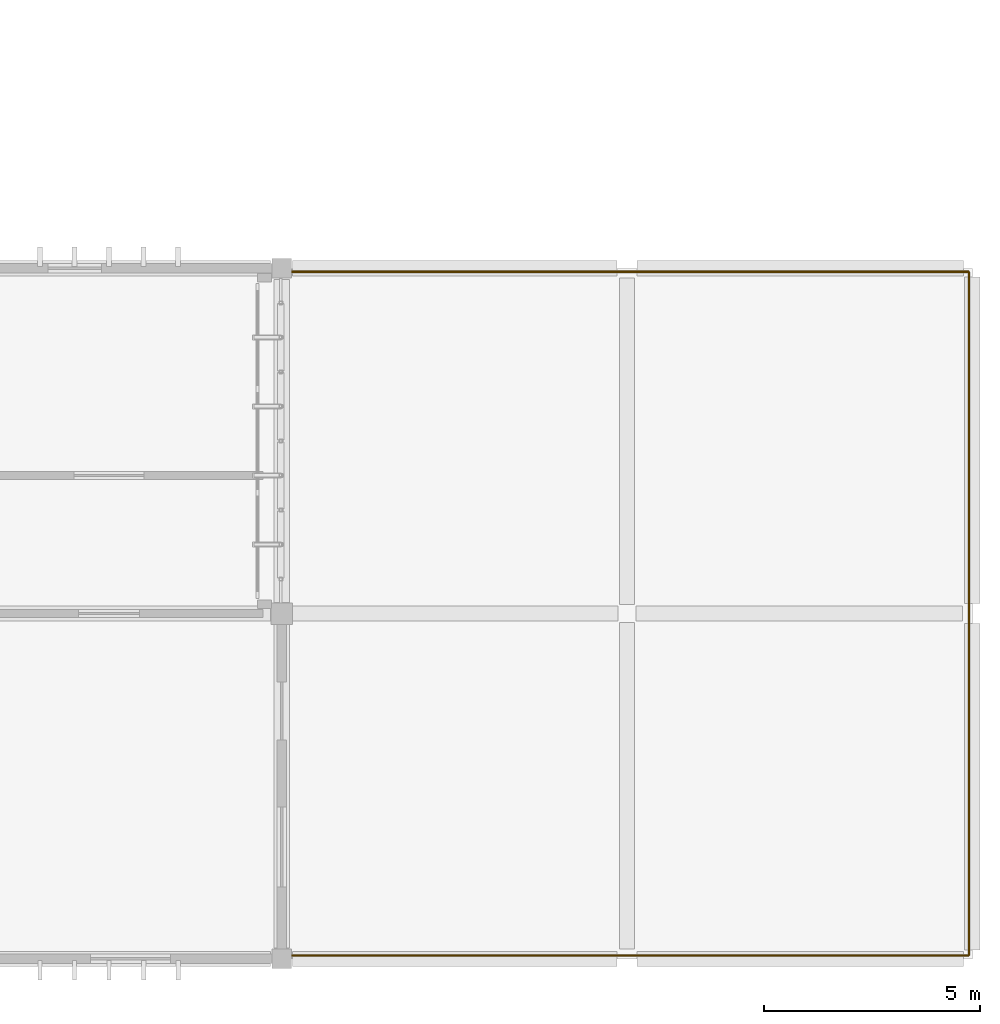
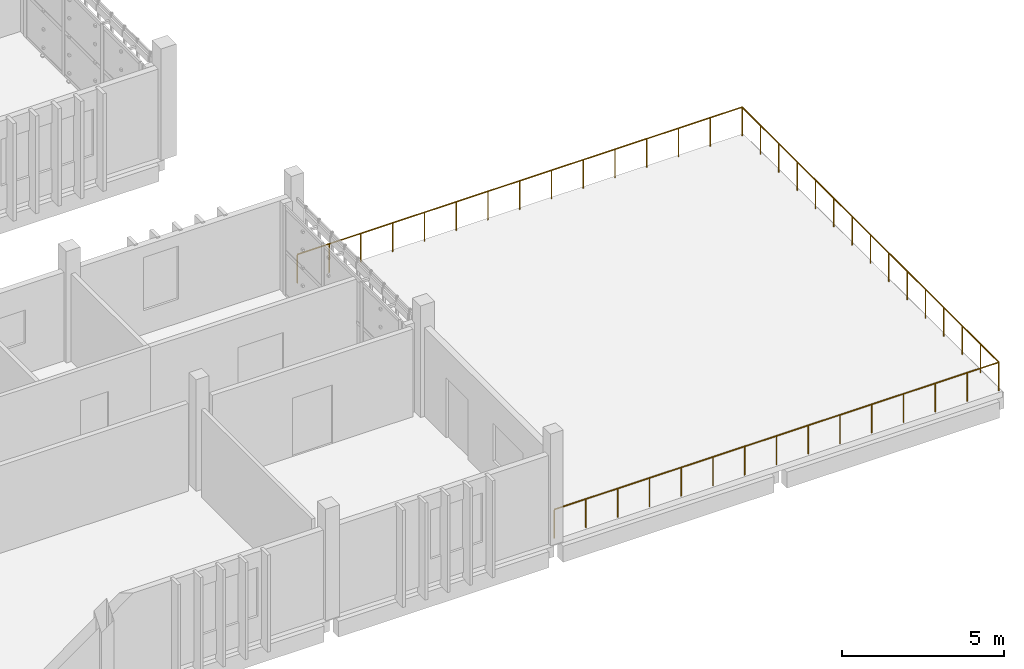
# One storey, part 32 of 32: 1 railing.
"""IFC4 building model written with IfcOpenShell, lengths in metres."""

from ifc_helpers import new_model, si_unit, direction, frame, origin, origin_2d, place, context, subcontext, project, spatial, circle, extrude, material, type_object, element, save


model = new_model("IFC4")

# Units and contexts
model_context = context("Model", 3, precision=1e-05, world=origin(), true_north=direction((0.0, 1.0)))
body_context = subcontext(model_context, "Body", "Model", "MODEL_VIEW")
ifc_project = project(units=[si_unit("LENGTHUNIT", "METRE"), si_unit("AREAUNIT", "SQUARE_METRE"), si_unit("VOLUMEUNIT", "CUBIC_METRE"), si_unit("PLANEANGLEUNIT", "RADIAN"), si_unit("MASSUNIT", "GRAM", prefix="KILO")], contexts=[model_context])

# Site, building, storey
site_placement = place(None, origin())
site = spatial("IfcSite", under=ifc_project, at=site_placement, CompositionType="ELEMENT")
building_placement = place(site_placement, origin())
building = spatial("IfcBuilding", under=site, at=building_placement, Name="Jelvoka-Kovrelna Polytechnic", CompositionType="ELEMENT")
storey_placement = place(building_placement, frame((0.0, 0.0, 26.39990234375)))
storey = spatial("IfcBuildingStorey", under=building, at=storey_placement, Name="L07", CompositionType="ELEMENT", Elevation=26.39990234375)

# Railing
ifc_material = material(Name="Brushed stainless steel Grade 316", Category="steel")
railing_type = type_object("IfcRailingType", Name="Railing_Terrace_Guard_1100", PredefinedType="GUARDRAIL", material=ifc_material)
railing_placement = place(storey_placement, frame((184.080078125, 32.080078125, 0.0)))
element("IfcRailing", 1, at=railing_placement, inside=storey, type_object=railing_type, Name="L07 terrace perimeter guard TER-L07-B2EE", PredefinedType="GUARDRAIL", context=body_context, shape_type="SweptSolid", body=[
    extrude(circle(Radius=0.02392578125, at=origin_2d()), frame((0.0, 0.0, 1.076171875), z_axis=(1.0, 0.0, 0.0), x_axis=(0.0, 1.0, 0.0)), (0.0, 0.0, 1.0), 15.83984375),
    extrude(circle(Radius=0.02392578125, at=origin_2d()), frame((15.83984375, 0.0, 1.076171875), z_axis=(0.0, 1.0, 0.0), x_axis=(-1.0, 0.0, 0.0)), (0.0, 0.0, 1.0), 15.83984375),
    extrude(circle(Radius=0.02392578125, at=origin_2d()), frame((15.83984375, 15.83984375, 1.076171875), z_axis=(-1.0, 0.0, 0.0), x_axis=(0.0, -1.0, 0.0)), (0.0, 0.0, 1.0), 15.83984375),
    extrude(circle(Radius=0.02099609375, at=origin_2d()), origin(), (0.0, 0.0, 1.0), 1.052001953125),
    extrude(circle(Radius=0.02099609375, at=origin_2d()), frame((1.13134765625, 0.0, 0.0)), (0.0, 0.0, 1.0), 1.052001953125),
    extrude(circle(Radius=0.02099609375, at=origin_2d()), frame((2.262939453125, 0.0, 0.0)), (0.0, 0.0, 1.0), 1.052001953125),
    extrude(circle(Radius=0.02099609375, at=origin_2d()), frame((3.394287109375, 0.0, 0.0)), (0.0, 0.0, 1.0), 1.052001953125),
    extrude(circle(Radius=0.02099609375, at=origin_2d()), frame((4.525634765625, 0.0, 0.0)), (0.0, 0.0, 1.0), 1.052001953125),
    extrude(circle(Radius=0.02099609375, at=origin_2d()), frame((5.656982421875, 0.0, 0.0)), (0.0, 0.0, 1.0), 1.052001953125),
    extrude(circle(Radius=0.02099609375, at=origin_2d()), frame((6.78857421875, 0.0, 0.0)), (0.0, 0.0, 1.0), 1.052001953125),
    extrude(circle(Radius=0.02099609375, at=origin_2d()), frame((7.919921875, 0.0, 0.0)), (0.0, 0.0, 1.0), 1.052001953125),
    extrude(circle(Radius=0.02099609375, at=origin_2d()), frame((9.05126953125, 0.0, 0.0)), (0.0, 0.0, 1.0), 1.052001953125),
    extrude(circle(Radius=0.02099609375, at=origin_2d()), frame((10.182861328125, 0.0, 0.0)), (0.0, 0.0, 1.0), 1.052001953125),
    extrude(circle(Radius=0.02099609375, at=origin_2d()), frame((11.314208984375, 0.0, 0.0)), (0.0, 0.0, 1.0), 1.052001953125),
    extrude(circle(Radius=0.02099609375, at=origin_2d()), frame((12.445556640625, 0.0, 0.0)), (0.0, 0.0, 1.0), 1.052001953125),
    extrude(circle(Radius=0.02099609375, at=origin_2d()), frame((13.576904296875, 0.0, 0.0)), (0.0, 0.0, 1.0), 1.052001953125),
    extrude(circle(Radius=0.02099609375, at=origin_2d()), frame((14.70849609375, 0.0, 0.0)), (0.0, 0.0, 1.0), 1.052001953125),
    extrude(circle(Radius=0.02099609375, at=origin_2d()), frame((15.83984375, 0.0, 0.0)), (0.0, 0.0, 1.0), 1.052001953125),
    extrude(circle(Radius=0.02099609375, at=origin_2d()), frame((15.83984375, 1.13134765625, 0.0)), (0.0, 0.0, 1.0), 1.052001953125),
    extrude(circle(Radius=0.02099609375, at=origin_2d()), frame((15.83984375, 2.262939453125, 0.0)), (0.0, 0.0, 1.0), 1.052001953125),
    extrude(circle(Radius=0.02099609375, at=origin_2d()), frame((15.83984375, 3.394287109375, 0.0)), (0.0, 0.0, 1.0), 1.052001953125),
    extrude(circle(Radius=0.02099609375, at=origin_2d()), frame((15.83984375, 4.525634765625, 0.0)), (0.0, 0.0, 1.0), 1.052001953125),
    extrude(circle(Radius=0.02099609375, at=origin_2d()), frame((15.83984375, 5.656982421875, 0.0)), (0.0, 0.0, 1.0), 1.052001953125),
    extrude(circle(Radius=0.02099609375, at=origin_2d()), frame((15.83984375, 6.78857421875, 0.0)), (0.0, 0.0, 1.0), 1.052001953125),
    extrude(circle(Radius=0.02099609375, at=origin_2d()), frame((15.83984375, 7.919921875, 0.0)), (0.0, 0.0, 1.0), 1.052001953125),
    extrude(circle(Radius=0.02099609375, at=origin_2d()), frame((15.83984375, 9.05126953125, 0.0)), (0.0, 0.0, 1.0), 1.052001953125),
    extrude(circle(Radius=0.02099609375, at=origin_2d()), frame((15.83984375, 10.182861328125, 0.0)), (0.0, 0.0, 1.0), 1.052001953125),
    extrude(circle(Radius=0.02099609375, at=origin_2d()), frame((15.83984375, 11.314208984375, 0.0)), (0.0, 0.0, 1.0), 1.052001953125),
    extrude(circle(Radius=0.02099609375, at=origin_2d()), frame((15.83984375, 12.445556640625, 0.0)), (0.0, 0.0, 1.0), 1.052001953125),
    extrude(circle(Radius=0.02099609375, at=origin_2d()), frame((15.83984375, 13.576904296875, 0.0)), (0.0, 0.0, 1.0), 1.052001953125),
    extrude(circle(Radius=0.02099609375, at=origin_2d()), frame((15.83984375, 14.70849609375, 0.0)), (0.0, 0.0, 1.0), 1.052001953125),
    extrude(circle(Radius=0.02099609375, at=origin_2d()), frame((15.83984375, 15.83984375, 0.0)), (0.0, 0.0, 1.0), 1.052001953125),
    extrude(circle(Radius=0.02099609375, at=origin_2d()), frame((14.70849609375, 15.83984375, 0.0)), (0.0, 0.0, 1.0), 1.052001953125),
    extrude(circle(Radius=0.02099609375, at=origin_2d()), frame((13.576904296875, 15.83984375, 0.0)), (0.0, 0.0, 1.0), 1.052001953125),
    extrude(circle(Radius=0.02099609375, at=origin_2d()), frame((12.445556640625, 15.83984375, 0.0)), (0.0, 0.0, 1.0), 1.052001953125),
    extrude(circle(Radius=0.02099609375, at=origin_2d()), frame((11.314208984375, 15.83984375, 0.0)), (0.0, 0.0, 1.0), 1.052001953125),
    extrude(circle(Radius=0.02099609375, at=origin_2d()), frame((10.182861328125, 15.83984375, 0.0)), (0.0, 0.0, 1.0), 1.052001953125),
    extrude(circle(Radius=0.02099609375, at=origin_2d()), frame((9.05126953125, 15.83984375, 0.0)), (0.0, 0.0, 1.0), 1.052001953125),
    extrude(circle(Radius=0.02099609375, at=origin_2d()), frame((7.919921875, 15.83984375, 0.0)), (0.0, 0.0, 1.0), 1.052001953125),
    extrude(circle(Radius=0.02099609375, at=origin_2d()), frame((6.78857421875, 15.83984375, 0.0)), (0.0, 0.0, 1.0), 1.052001953125),
    extrude(circle(Radius=0.02099609375, at=origin_2d()), frame((5.656982421875, 15.83984375, 0.0)), (0.0, 0.0, 1.0), 1.052001953125),
    extrude(circle(Radius=0.02099609375, at=origin_2d()), frame((4.525634765625, 15.83984375, 0.0)), (0.0, 0.0, 1.0), 1.052001953125),
    extrude(circle(Radius=0.02099609375, at=origin_2d()), frame((3.394287109375, 15.83984375, 0.0)), (0.0, 0.0, 1.0), 1.052001953125),
    extrude(circle(Radius=0.02099609375, at=origin_2d()), frame((2.262939453125, 15.83984375, 0.0)), (0.0, 0.0, 1.0), 1.052001953125),
    extrude(circle(Radius=0.02099609375, at=origin_2d()), frame((1.13134765625, 15.83984375, 0.0)), (0.0, 0.0, 1.0), 1.052001953125),
    extrude(circle(Radius=0.02099609375, at=origin_2d()), frame((0.0, 15.83984375, 0.0)), (0.0, 0.0, 1.0), 1.052001953125),
])

save(model, "model.ifc")
